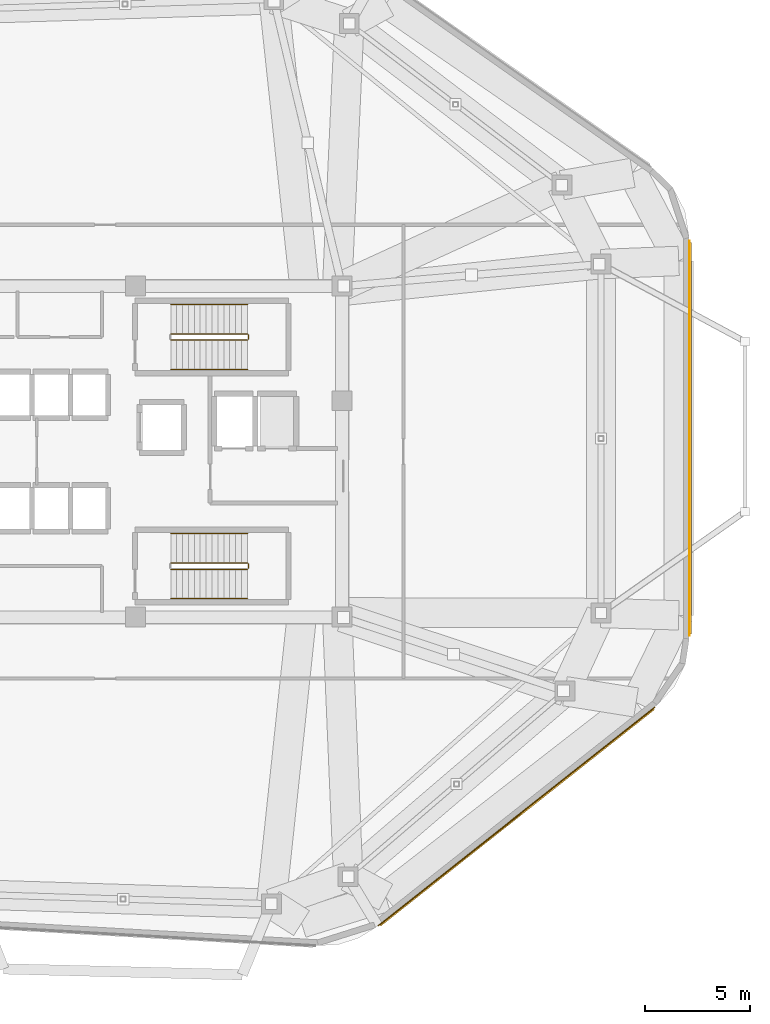
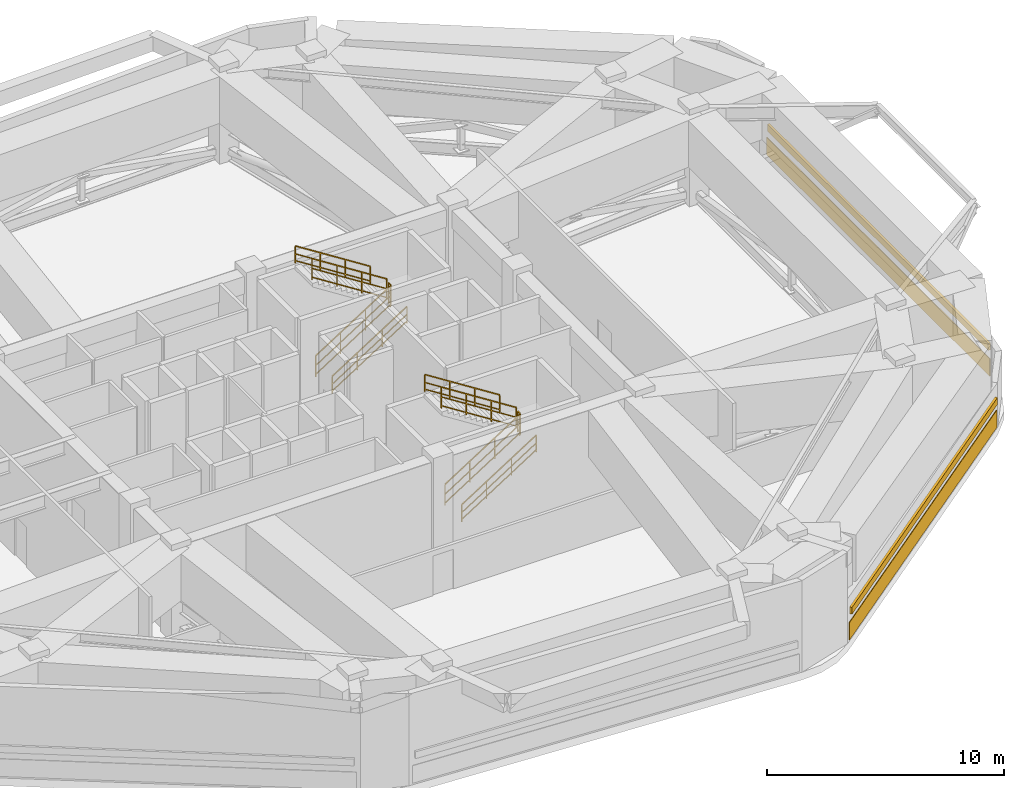
# One storey, part 11 of 13: 10 railings, 2 coverings, 2 shading devices.
"""IFC4 building model written with IfcOpenShell, lengths in metres."""

from ifc_helpers import new_model, si_unit, direction, frame, origin, origin_2d, place, context, subcontext, project, spatial, rectangle, extrude, material, layer, layer_set, type_object, element, save


model = new_model("IFC4")

# Units and contexts
model_context = context("Model", 3, precision=1e-05, world=origin(), true_north=direction((0.0, 1.0)))
body_context = subcontext(model_context, "Body", "Model", "MODEL_VIEW")
ifc_project = project(units=[si_unit("LENGTHUNIT", "METRE"), si_unit("AREAUNIT", "SQUARE_METRE"), si_unit("VOLUMEUNIT", "CUBIC_METRE"), si_unit("PLANEANGLEUNIT", "RADIAN"), si_unit("MASSUNIT", "GRAM", prefix="KILO")], contexts=[model_context])

# Site, building, storey
site_placement = place(None, origin())
site = spatial("IfcSite", under=ifc_project, at=site_placement, CompositionType="ELEMENT")
building_placement = place(site_placement, origin())
building = spatial("IfcBuilding", under=site, at=building_placement, Name="Zulverin Broadcast Headquarters", CompositionType="ELEMENT")
storey_placement = place(building_placement, frame((0.0, 0.0, 220.0)))
storey = spatial("IfcBuildingStorey", under=building, at=storey_placement, Name="L56", CompositionType="ELEMENT", Elevation=220.0)

# Coverings
ifc_material_1 = material(Name="Brushed pale-aluminium rainscreen cladding", Category="aluminium")
ifc_layer = layer(ifc_material_1, 0.0400390625, Name="Brushed pale-aluminium rainscreen cladding", Category="aluminium")
ifc_layer_set = layer_set([ifc_layer], Name="Brushed pale-aluminium rainscreen cladding")
covering_type = type_object("IfcCoveringType", Name="COV-CLAD-MEP", PredefinedType="CLADDING", material=ifc_layer_set)
covering_1_placement = place(storey_placement, frame((56.580078125, 7.83447265625, 0.10009765625), z_axis=(0.0, 0.0, 1.0), x_axis=(0.784538334623, 0.620080318593, 0.0)))
element("IfcCovering", 1, at=covering_1_placement, inside=storey, type_object=covering_type, Name="L56 Brushed Pale-Aluminium Cladding Band 2", PredefinedType="CLADDING", context=body_context, shape_type="SweptSolid", body=[
    extrude(rectangle(XDim=16.796630859375, YDim=0.0400390625, at=origin_2d()), origin(), (0.0, 0.0, 1.0), 0.89990234375),
])
covering_2_placement = place(storey_placement, frame((64.81005859375, 25.83740234375, 0.10009765625), z_axis=(0.0, 0.0, 1.0), x_axis=(0.0, 1.0, 0.0)))
element("IfcCovering", 2, at=covering_2_placement, inside=storey, type_object=covering_type, Name="L56 Brushed Pale-Aluminium Cladding Band 3", PredefinedType="CLADDING", context=body_context, shape_type="SweptSolid", body=[
    extrude(rectangle(XDim=18.812744140625, YDim=0.0400390625, at=origin_2d()), origin(), (0.0, 0.0, 1.0), 0.89990234375),
])

# Railings
ifc_material_2 = material(Name="Painted galvanized steel tubular guardrail S355JR", Category="steel")
railing_type_1 = type_object("IfcRailingType", Name="RL-ST-GUARD", PredefinedType="GUARDRAIL", material=ifc_material_2)
railing_1_placement = place(storey_placement, frame((40.1298828125, 30.5, 0.178466796875)))
element("IfcRailing", 3, at=railing_1_placement, inside=storey, type_object=railing_type_1, Name="L56 ST-1 stair guard 1", PredefinedType="GUARDRAIL", context=body_context, shape_type="SweptSolid", body=[
    extrude(rectangle(XDim=0.048095703125, YDim=0.048095703125, at=origin_2d()), frame((0.0, 0.0, 1.076171875), z_axis=(0.843127859045, 0.0, 0.537713132908), x_axis=(0.0, 1.0, 0.0)), (0.0, 0.0, 1.0), 4.3173828125),
    extrude(rectangle(XDim=0.0419921875, YDim=0.0419921875, at=origin_2d()), frame((0.0, 0.0, 0.572021484375), z_axis=(0.843127859045, 0.0, 0.537713132908), x_axis=(0.0, 1.0, 0.0)), (0.0, 0.0, 1.0), 4.3173828125),
    extrude(rectangle(XDim=0.0419921875, YDim=0.0419921875, at=origin_2d()), frame((0.0, 0.0, 0.1201171875), z_axis=(0.843127859045, 0.0, 0.537713132908), x_axis=(0.0, 1.0, 0.0)), (0.0, 0.0, 1.0), 4.3173828125),
    extrude(rectangle(XDim=0.0419921875, YDim=0.0419921875, at=origin_2d()), origin(), (0.0, 0.0, 1.0), 1.052001953125),
    extrude(rectangle(XDim=0.0419921875, YDim=0.0419921875, at=origin_2d()), frame((1.21337890625, 0.0, 0.77392578125)), (0.0, 0.0, 1.0), 1.052001953125),
    extrude(rectangle(XDim=0.0419921875, YDim=0.0419921875, at=origin_2d()), frame((2.4267578125, 0.0, 1.547607421875)), (0.0, 0.0, 1.0), 1.052001953125),
    extrude(rectangle(XDim=0.0419921875, YDim=0.0419921875, at=origin_2d()), frame((3.64013671875, 0.0, 2.321533203125)), (0.0, 0.0, 1.0), 1.052001953125),
])
railing_2_placement = place(storey_placement, frame((43.820068359375, 30.550048828125, 2.5)))
element("IfcRailing", 4, at=railing_2_placement, inside=storey, type_object=railing_type_1, Name="L56 ST-1 stair guard 2", PredefinedType="GUARDRAIL", context=body_context, shape_type="SweptSolid", body=[
    extrude(rectangle(XDim=0.048095703125, YDim=0.048095703125, at=origin_2d()), frame((0.0, 0.0, 1.076171875), z_axis=(0.0, 1.0, 0.0), x_axis=(-1.0, 0.0, 0.0)), (0.0, 0.0, 1.0), 0.199951171875),
    extrude(rectangle(XDim=0.0419921875, YDim=0.0419921875, at=origin_2d()), frame((0.0, 0.0, 0.572021484375), z_axis=(0.0, 1.0, 0.0), x_axis=(-1.0, 0.0, 0.0)), (0.0, 0.0, 1.0), 0.199951171875),
    extrude(rectangle(XDim=0.0419921875, YDim=0.0419921875, at=origin_2d()), frame((0.0, 0.0, 0.1201171875), z_axis=(0.0, 1.0, 0.0), x_axis=(-1.0, 0.0, 0.0)), (0.0, 0.0, 1.0), 0.199951171875),
    extrude(rectangle(XDim=0.0419921875, YDim=0.0419921875, at=origin_2d()), origin(), (0.0, 0.0, 1.0), 1.052001953125),
    extrude(rectangle(XDim=0.0419921875, YDim=0.0419921875, at=origin_2d()), frame((0.0, 0.199951171875, 0.0)), (0.0, 0.0, 1.0), 1.052001953125),
])
railing_3_placement = place(storey_placement, frame((43.77001953125, 30.800048828125, 2.678466796875)))
element("IfcRailing", 5, at=railing_3_placement, inside=storey, type_object=railing_type_1, Name="L56 ST-1 stair guard 3", PredefinedType="GUARDRAIL", context=body_context, shape_type="SweptSolid", body=[
    extrude(rectangle(XDim=0.048095703125, YDim=0.048095703125, at=origin_2d()), frame((0.0, 0.0, 1.076171875), z_axis=(-0.843127859045, 0.0, 0.537713132908), x_axis=(0.0, -1.0, 0.0)), (0.0, 0.0, 1.0), 4.3173828125),
    extrude(rectangle(XDim=0.0419921875, YDim=0.0419921875, at=origin_2d()), frame((0.0, 0.0, 0.572021484375), z_axis=(-0.843127859045, 0.0, 0.537713132908), x_axis=(0.0, -1.0, 0.0)), (0.0, 0.0, 1.0), 4.3173828125),
    extrude(rectangle(XDim=0.0419921875, YDim=0.0419921875, at=origin_2d()), frame((0.0, 0.0, 0.1201171875), z_axis=(-0.843127859045, 0.0, 0.537713132908), x_axis=(0.0, -1.0, 0.0)), (0.0, 0.0, 1.0), 4.3173828125),
    extrude(rectangle(XDim=0.0419921875, YDim=0.0419921875, at=origin_2d()), origin(), (0.0, 0.0, 1.0), 1.052001953125),
    extrude(rectangle(XDim=0.0419921875, YDim=0.0419921875, at=origin_2d()), frame((-1.21337890625, 0.0, 0.77392578125)), (0.0, 0.0, 1.0), 1.052001953125),
    extrude(rectangle(XDim=0.0419921875, YDim=0.0419921875, at=origin_2d()), frame((-2.4267578125, 0.0, 1.547607421875)), (0.0, 0.0, 1.0), 1.052001953125),
    extrude(rectangle(XDim=0.0419921875, YDim=0.0419921875, at=origin_2d()), frame((-3.64013671875, 0.0, 2.321533203125)), (0.0, 0.0, 1.0), 1.052001953125),
])
railing_4_placement = place(storey_placement, frame((40.1298828125, 19.60009765625, 0.178466796875)))
element("IfcRailing", 6, at=railing_4_placement, inside=storey, type_object=railing_type_1, Name="L56 ST-2 stair guard 1", PredefinedType="GUARDRAIL", context=body_context, shape_type="SweptSolid", body=[
    extrude(rectangle(XDim=0.048095703125, YDim=0.048095703125, at=origin_2d()), frame((0.0, 0.0, 1.076171875), z_axis=(0.843127859045, 0.0, 0.537713132908), x_axis=(0.0, 1.0, 0.0)), (0.0, 0.0, 1.0), 4.3173828125),
    extrude(rectangle(XDim=0.0419921875, YDim=0.0419921875, at=origin_2d()), frame((0.0, 0.0, 0.572021484375), z_axis=(0.843127859045, 0.0, 0.537713132908), x_axis=(0.0, 1.0, 0.0)), (0.0, 0.0, 1.0), 4.3173828125),
    extrude(rectangle(XDim=0.0419921875, YDim=0.0419921875, at=origin_2d()), frame((0.0, 0.0, 0.1201171875), z_axis=(0.843127859045, 0.0, 0.537713132908), x_axis=(0.0, 1.0, 0.0)), (0.0, 0.0, 1.0), 4.3173828125),
    extrude(rectangle(XDim=0.0419921875, YDim=0.0419921875, at=origin_2d()), origin(), (0.0, 0.0, 1.0), 1.052001953125),
    extrude(rectangle(XDim=0.0419921875, YDim=0.0419921875, at=origin_2d()), frame((1.21337890625, 0.0, 0.77392578125)), (0.0, 0.0, 1.0), 1.052001953125),
    extrude(rectangle(XDim=0.0419921875, YDim=0.0419921875, at=origin_2d()), frame((2.4267578125, 0.0, 1.547607421875)), (0.0, 0.0, 1.0), 1.052001953125),
    extrude(rectangle(XDim=0.0419921875, YDim=0.0419921875, at=origin_2d()), frame((3.64013671875, 0.0, 2.321533203125)), (0.0, 0.0, 1.0), 1.052001953125),
])
railing_5_placement = place(storey_placement, frame((43.820068359375, 19.64990234375, 2.5)))
element("IfcRailing", 7, at=railing_5_placement, inside=storey, type_object=railing_type_1, Name="L56 ST-2 stair guard 2", PredefinedType="GUARDRAIL", context=body_context, shape_type="SweptSolid", body=[
    extrude(rectangle(XDim=0.048095703125, YDim=0.048095703125, at=origin_2d()), frame((0.0, 0.0, 1.076171875), z_axis=(0.0, 1.0, 0.0), x_axis=(-1.0, 0.0, 0.0)), (0.0, 0.0, 1.0), 0.2001953125),
    extrude(rectangle(XDim=0.0419921875, YDim=0.0419921875, at=origin_2d()), frame((0.0, 0.0, 0.572021484375), z_axis=(0.0, 1.0, 0.0), x_axis=(-1.0, 0.0, 0.0)), (0.0, 0.0, 1.0), 0.2001953125),
    extrude(rectangle(XDim=0.0419921875, YDim=0.0419921875, at=origin_2d()), frame((0.0, 0.0, 0.1201171875), z_axis=(0.0, 1.0, 0.0), x_axis=(-1.0, 0.0, 0.0)), (0.0, 0.0, 1.0), 0.2001953125),
    extrude(rectangle(XDim=0.0419921875, YDim=0.0419921875, at=origin_2d()), origin(), (0.0, 0.0, 1.0), 1.052001953125),
    extrude(rectangle(XDim=0.0419921875, YDim=0.0419921875, at=origin_2d()), frame((0.0, 0.2001953125, 0.0)), (0.0, 0.0, 1.0), 1.052001953125),
])
railing_6_placement = place(storey_placement, frame((43.77001953125, 19.89990234375, 2.678466796875)))
element("IfcRailing", 8, at=railing_6_placement, inside=storey, type_object=railing_type_1, Name="L56 ST-2 stair guard 3", PredefinedType="GUARDRAIL", context=body_context, shape_type="SweptSolid", body=[
    extrude(rectangle(XDim=0.048095703125, YDim=0.048095703125, at=origin_2d()), frame((0.0, 0.0, 1.076171875), z_axis=(-0.843127859045, 0.0, 0.537713132908), x_axis=(0.0, -1.0, 0.0)), (0.0, 0.0, 1.0), 4.3173828125),
    extrude(rectangle(XDim=0.0419921875, YDim=0.0419921875, at=origin_2d()), frame((0.0, 0.0, 0.572021484375), z_axis=(-0.843127859045, 0.0, 0.537713132908), x_axis=(0.0, -1.0, 0.0)), (0.0, 0.0, 1.0), 4.3173828125),
    extrude(rectangle(XDim=0.0419921875, YDim=0.0419921875, at=origin_2d()), frame((0.0, 0.0, 0.1201171875), z_axis=(-0.843127859045, 0.0, 0.537713132908), x_axis=(0.0, -1.0, 0.0)), (0.0, 0.0, 1.0), 4.3173828125),
    extrude(rectangle(XDim=0.0419921875, YDim=0.0419921875, at=origin_2d()), origin(), (0.0, 0.0, 1.0), 1.052001953125),
    extrude(rectangle(XDim=0.0419921875, YDim=0.0419921875, at=origin_2d()), frame((-1.21337890625, 0.0, 0.77392578125)), (0.0, 0.0, 1.0), 1.052001953125),
    extrude(rectangle(XDim=0.0419921875, YDim=0.0419921875, at=origin_2d()), frame((-2.4267578125, 0.0, 1.547607421875)), (0.0, 0.0, 1.0), 1.052001953125),
    extrude(rectangle(XDim=0.0419921875, YDim=0.0419921875, at=origin_2d()), frame((-3.64013671875, 0.0, 2.321533203125)), (0.0, 0.0, 1.0), 1.052001953125),
])
ifc_material_3 = material(Name="Brushed stainless steel 48 mm handrail", Category="steel")
railing_type_2 = type_object("IfcRailingType", Name="RL-ST-HAND", PredefinedType="HANDRAIL", material=ifc_material_3)
railing_7_placement = place(storey_placement, frame((40.1298828125, 29.10009765625, 0.178466796875)))
element("IfcRailing", 9, at=railing_7_placement, inside=storey, type_object=railing_type_2, Name="L56 ST-1 stair handrail 1", PredefinedType="HANDRAIL", context=body_context, shape_type="SweptSolid", body=[
    extrude(rectangle(XDim=0.048095703125, YDim=0.048095703125, at=origin_2d()), frame((0.0, 0.0, 0.8759765625), z_axis=(0.843127859045, 0.0, 0.537713132908), x_axis=(0.0, 1.0, 0.0)), (0.0, 0.0, 1.0), 4.3173828125),
    extrude(rectangle(XDim=0.0419921875, YDim=0.0419921875, at=origin_2d()), frame((0.0, 0.0, 0.468017578125), z_axis=(0.843127859045, 0.0, 0.537713132908), x_axis=(0.0, 1.0, 0.0)), (0.0, 0.0, 1.0), 4.3173828125),
    extrude(rectangle(XDim=0.0419921875, YDim=0.0419921875, at=origin_2d()), frame((0.0, 0.0, 0.1201171875), z_axis=(0.843127859045, 0.0, 0.537713132908), x_axis=(0.0, 1.0, 0.0)), (0.0, 0.0, 1.0), 4.3173828125),
    extrude(rectangle(XDim=0.0419921875, YDim=0.0419921875, at=origin_2d()), origin(), (0.0, 0.0, 1.0), 0.851806640625),
    extrude(rectangle(XDim=0.0419921875, YDim=0.0419921875, at=origin_2d()), frame((1.21337890625, 0.0, 0.77392578125)), (0.0, 0.0, 1.0), 0.851806640625),
    extrude(rectangle(XDim=0.0419921875, YDim=0.0419921875, at=origin_2d()), frame((2.4267578125, 0.0, 1.547607421875)), (0.0, 0.0, 1.0), 0.851806640625),
    extrude(rectangle(XDim=0.0419921875, YDim=0.0419921875, at=origin_2d()), frame((3.64013671875, 0.0, 2.321533203125)), (0.0, 0.0, 1.0), 0.851806640625),
])
railing_8_placement = place(storey_placement, frame((43.77001953125, 32.199951171875, 2.678466796875)))
element("IfcRailing", 10, at=railing_8_placement, inside=storey, type_object=railing_type_2, Name="L56 ST-1 stair handrail 2", PredefinedType="HANDRAIL", context=body_context, shape_type="SweptSolid", body=[
    extrude(rectangle(XDim=0.048095703125, YDim=0.048095703125, at=origin_2d()), frame((0.0, 0.0, 0.8759765625), z_axis=(-0.843127859045, 0.0, 0.537713132908), x_axis=(0.0, -1.0, 0.0)), (0.0, 0.0, 1.0), 4.3173828125),
    extrude(rectangle(XDim=0.0419921875, YDim=0.0419921875, at=origin_2d()), frame((0.0, 0.0, 0.468017578125), z_axis=(-0.843127859045, 0.0, 0.537713132908), x_axis=(0.0, -1.0, 0.0)), (0.0, 0.0, 1.0), 4.3173828125),
    extrude(rectangle(XDim=0.0419921875, YDim=0.0419921875, at=origin_2d()), frame((0.0, 0.0, 0.1201171875), z_axis=(-0.843127859045, 0.0, 0.537713132908), x_axis=(0.0, -1.0, 0.0)), (0.0, 0.0, 1.0), 4.3173828125),
    extrude(rectangle(XDim=0.0419921875, YDim=0.0419921875, at=origin_2d()), origin(), (0.0, 0.0, 1.0), 0.851806640625),
    extrude(rectangle(XDim=0.0419921875, YDim=0.0419921875, at=origin_2d()), frame((-1.21337890625, 0.0, 0.77392578125)), (0.0, 0.0, 1.0), 0.851806640625),
    extrude(rectangle(XDim=0.0419921875, YDim=0.0419921875, at=origin_2d()), frame((-2.4267578125, 0.0, 1.547607421875)), (0.0, 0.0, 1.0), 0.851806640625),
    extrude(rectangle(XDim=0.0419921875, YDim=0.0419921875, at=origin_2d()), frame((-3.64013671875, 0.0, 2.321533203125)), (0.0, 0.0, 1.0), 0.851806640625),
])
railing_9_placement = place(storey_placement, frame((40.1298828125, 18.199951171875, 0.178466796875)))
element("IfcRailing", 11, at=railing_9_placement, inside=storey, type_object=railing_type_2, Name="L56 ST-2 stair handrail 1", PredefinedType="HANDRAIL", context=body_context, shape_type="SweptSolid", body=[
    extrude(rectangle(XDim=0.048095703125, YDim=0.048095703125, at=origin_2d()), frame((0.0, 0.0, 0.8759765625), z_axis=(0.843127859045, 0.0, 0.537713132908), x_axis=(0.0, 1.0, 0.0)), (0.0, 0.0, 1.0), 4.3173828125),
    extrude(rectangle(XDim=0.0419921875, YDim=0.0419921875, at=origin_2d()), frame((0.0, 0.0, 0.468017578125), z_axis=(0.843127859045, 0.0, 0.537713132908), x_axis=(0.0, 1.0, 0.0)), (0.0, 0.0, 1.0), 4.3173828125),
    extrude(rectangle(XDim=0.0419921875, YDim=0.0419921875, at=origin_2d()), frame((0.0, 0.0, 0.1201171875), z_axis=(0.843127859045, 0.0, 0.537713132908), x_axis=(0.0, 1.0, 0.0)), (0.0, 0.0, 1.0), 4.3173828125),
    extrude(rectangle(XDim=0.0419921875, YDim=0.0419921875, at=origin_2d()), origin(), (0.0, 0.0, 1.0), 0.851806640625),
    extrude(rectangle(XDim=0.0419921875, YDim=0.0419921875, at=origin_2d()), frame((1.21337890625, 0.0, 0.77392578125)), (0.0, 0.0, 1.0), 0.851806640625),
    extrude(rectangle(XDim=0.0419921875, YDim=0.0419921875, at=origin_2d()), frame((2.4267578125, 0.0, 1.547607421875)), (0.0, 0.0, 1.0), 0.851806640625),
    extrude(rectangle(XDim=0.0419921875, YDim=0.0419921875, at=origin_2d()), frame((3.64013671875, 0.0, 2.321533203125)), (0.0, 0.0, 1.0), 0.851806640625),
])
railing_10_placement = place(storey_placement, frame((43.77001953125, 21.300048828125, 2.678466796875)))
element("IfcRailing", 12, at=railing_10_placement, inside=storey, type_object=railing_type_2, Name="L56 ST-2 stair handrail 2", PredefinedType="HANDRAIL", context=body_context, shape_type="SweptSolid", body=[
    extrude(rectangle(XDim=0.048095703125, YDim=0.048095703125, at=origin_2d()), frame((0.0, 0.0, 0.8759765625), z_axis=(-0.843127859045, 0.0, 0.537713132908), x_axis=(0.0, -1.0, 0.0)), (0.0, 0.0, 1.0), 4.3173828125),
    extrude(rectangle(XDim=0.0419921875, YDim=0.0419921875, at=origin_2d()), frame((0.0, 0.0, 0.468017578125), z_axis=(-0.843127859045, 0.0, 0.537713132908), x_axis=(0.0, -1.0, 0.0)), (0.0, 0.0, 1.0), 4.3173828125),
    extrude(rectangle(XDim=0.0419921875, YDim=0.0419921875, at=origin_2d()), frame((0.0, 0.0, 0.1201171875), z_axis=(-0.843127859045, 0.0, 0.537713132908), x_axis=(0.0, -1.0, 0.0)), (0.0, 0.0, 1.0), 4.3173828125),
    extrude(rectangle(XDim=0.0419921875, YDim=0.0419921875, at=origin_2d()), origin(), (0.0, 0.0, 1.0), 0.851806640625),
    extrude(rectangle(XDim=0.0419921875, YDim=0.0419921875, at=origin_2d()), frame((-1.21337890625, 0.0, 0.77392578125)), (0.0, 0.0, 1.0), 0.851806640625),
    extrude(rectangle(XDim=0.0419921875, YDim=0.0419921875, at=origin_2d()), frame((-2.4267578125, 0.0, 1.547607421875)), (0.0, 0.0, 1.0), 0.851806640625),
    extrude(rectangle(XDim=0.0419921875, YDim=0.0419921875, at=origin_2d()), frame((-3.64013671875, 0.0, 2.321533203125)), (0.0, 0.0, 1.0), 0.851806640625),
])

# Shading devices
ifc_material_4 = material(Name="Anodized pale-metal aluminium acoustic louvre", Category="aluminium")
shading_device_type = type_object("IfcShadingDeviceType", Name="SHD-LOUVRE-350", PredefinedType="USERDEFINED", material=ifc_material_4)
shading_device_1_placement = place(storey_placement, frame((56.5986328125, 7.810791015625, 1.375), z_axis=(0.0, 0.0, 1.0), x_axis=(0.784538334623, 0.620080318593, 0.0)))
element("IfcShadingDevice", 13, at=shading_device_1_placement, inside=storey, type_object=shading_device_type, Name="L56 Plant Room Acoustic Louvre Screen 2", ObjectType="LOUVRE", PredefinedType="USERDEFINED", context=body_context, shape_type="SweptSolid", body=[
    extrude(rectangle(XDim=16.5966796875, YDim=0.1201171875, at=origin_2d()), origin(), (0.0, 0.0, 1.0), 0.35009765625),
])
shading_device_2_placement = place(storey_placement, frame((64.840087890625, 25.83740234375, 1.375), z_axis=(0.0, 0.0, 1.0), x_axis=(0.0, 1.0, 0.0)))
element("IfcShadingDevice", 14, at=shading_device_2_placement, inside=storey, type_object=shading_device_type, Name="L56 Plant Room Acoustic Louvre Screen 3", ObjectType="LOUVRE", PredefinedType="USERDEFINED", context=body_context, shape_type="SweptSolid", body=[
    extrude(rectangle(XDim=18.61279296875, YDim=0.1201171875, at=origin_2d()), origin(), (0.0, 0.0, 1.0), 0.35009765625),
])

save(model, "model.ifc")
